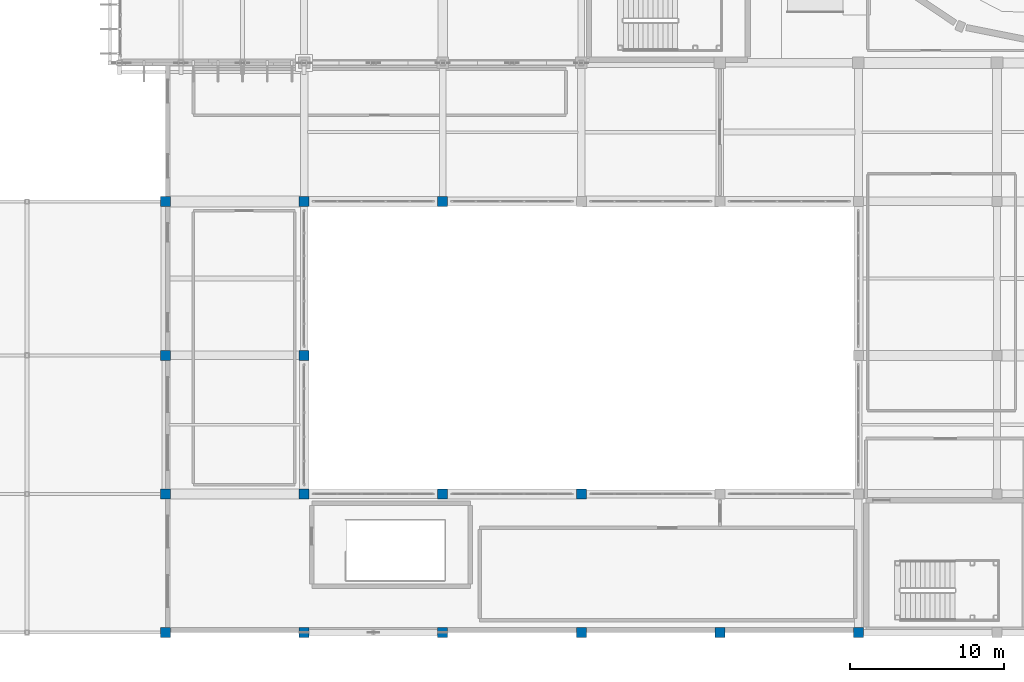
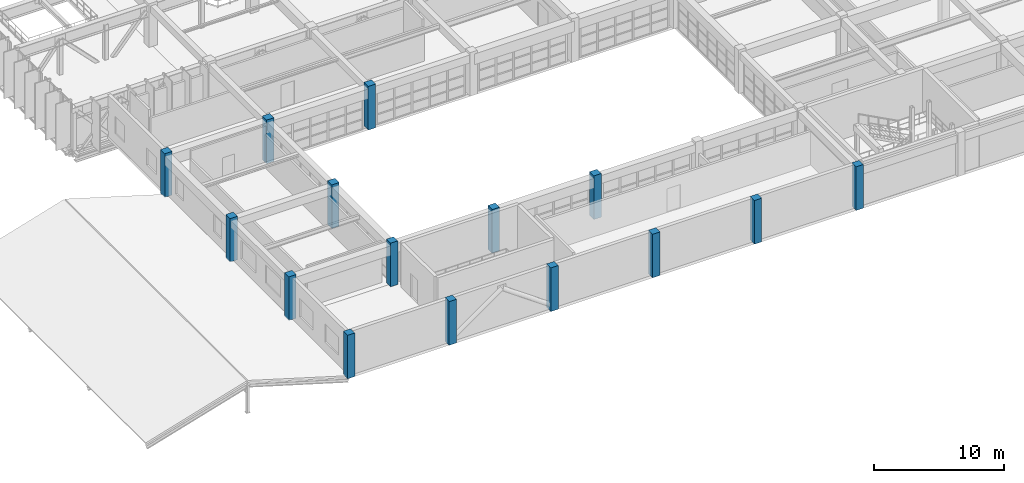
# One storey, part 1 of 130: 15 columns.
"""IFC4 building model written with IfcOpenShell, lengths in metres."""

from ifc_helpers import new_model, si_unit, direction, frame, origin, origin_2d, place, context, subcontext, project, spatial, rectangle, extrude, material, material_profile, profile_set, type_object, element, save


model = new_model("IFC4")

# Units and contexts
model_context = context("Model", 3, precision=1e-05, world=origin(), true_north=direction((0.0, 1.0)))
body_context = subcontext(model_context, "Body", "Model", "MODEL_VIEW")
ifc_project = project(units=[si_unit("LENGTHUNIT", "METRE"), si_unit("AREAUNIT", "SQUARE_METRE"), si_unit("VOLUMEUNIT", "CUBIC_METRE"), si_unit("PLANEANGLEUNIT", "RADIAN"), si_unit("MASSUNIT", "GRAM", prefix="KILO")], contexts=[model_context])

# Site, building, storey
site_placement = place(None, origin())
site = spatial("IfcSite", under=ifc_project, at=site_placement, CompositionType="ELEMENT")
building_placement = place(site_placement, origin())
building = spatial("IfcBuilding", under=site, at=building_placement, Name="Miravela Opera House", CompositionType="ELEMENT")
storey_placement = place(building_placement, frame((0.0, 0.0, 9.52001953125)))
storey = spatial("IfcBuildingStorey", under=building, at=storey_placement, Name="L02", CompositionType="ELEMENT", Elevation=9.52001953125)

# Columns
ifc_material = material(Name="Concrete C35/45", Category="concrete")
ifc_material_profile = material_profile(ifc_material, rectangle(XDim=0.64990234375, YDim=0.64990234375, at=origin_2d()), Name="RC-COL-650X650")
ifc_profile_set = profile_set([ifc_material_profile])
column_type = type_object("IfcColumnType", Name="STR-COL-RC650", PredefinedType="COLUMN", material=ifc_profile_set)
for number, where, z_axis, x_axis, name in (
    (1, (18.0, 0.0, 0.0), (0.0, 0.0, 1.0), (1.0, 0.0, 0.0), "Column C-3A (L02)"),
    (2, (18.0, 9.0, 0.0), (0.0, 0.0, 1.0), (1.0, 0.0, 0.0), "Column C-3B (L02)"),
    (3, (18.0, 18.0, 0.0), (0.0, 0.0, 1.0), (1.0, 0.0, 0.0), "Column C-3C (L02)"),
    (4, (18.0, 28.0, 0.0), (0.0, 0.0, 1.0), (1.0, 0.0, 0.0), "Column C-3D (L02)"),
    (5, (27.0, 0.0, 0.0), (0.0, 0.0, 1.0), (1.0, 0.0, 0.0), "Column C-4A (L02)"),
    (6, (27.0, 9.0, 0.0), (0.0, 0.0, 1.0), (1.0, 0.0, 0.0), "Column C-4B (L02)"),
    (7, (27.0, 18.0, 0.0), (0.0, 0.0, 1.0), (1.0, 0.0, 0.0), "Column C-4C (L02)"),
    (8, (27.0, 28.0, 0.0), (0.0, 0.0, 1.0), (1.0, 0.0, 0.0), "Column C-4D (L02)"),
    (9, (36.0, 0.0, 0.0), (0.0, 0.0, 1.0), (1.0, 0.0, 0.0), "Column C-5A (L02)"),
    (10, (36.0, 9.0, 0.0), (0.0, 0.0, 1.0), (1.0, 0.0, 0.0), "Column C-5B (L02)"),
    (11, (36.0, 28.0, 0.0), (0.0, 0.0, 1.0), (1.0, 0.0, 0.0), "Column C-5D (L02)"),
    (12, (45.0, 0.0, 0.0), (0.0, 0.0, 1.0), (1.0, 0.0, 0.0), "Column C-6A (L02)"),
    (13, (45.0, 9.0, 0.0), (0.0, 0.0, 1.0), (1.0, 0.0, 0.0), "Column C-6B (L02)"),
    (14, (54.0, 0.0, 0.0), (0.0, 0.0, 1.0), (1.0, 0.0, 0.0), "Column C-7A (L02)"),
    (15, (63.0, 0.0, 0.0), (0.0, 0.0, 1.0), (1.0, 0.0, 0.0), "Column C-8A (L02)"),
):
    element("IfcColumn", number, at=place(storey_placement, frame(where, z_axis=z_axis, x_axis=x_axis)), inside=storey, type_object=column_type, Name=name, PredefinedType="COLUMN", context=body_context, shape_type="SweptSolid", body=[
        extrude(rectangle(XDim=0.64990234375, YDim=0.64990234375, at=origin_2d()), origin(), (0.0, 0.0, 1.0), 4.080078125),
    ])

save(model, "model.ifc")
